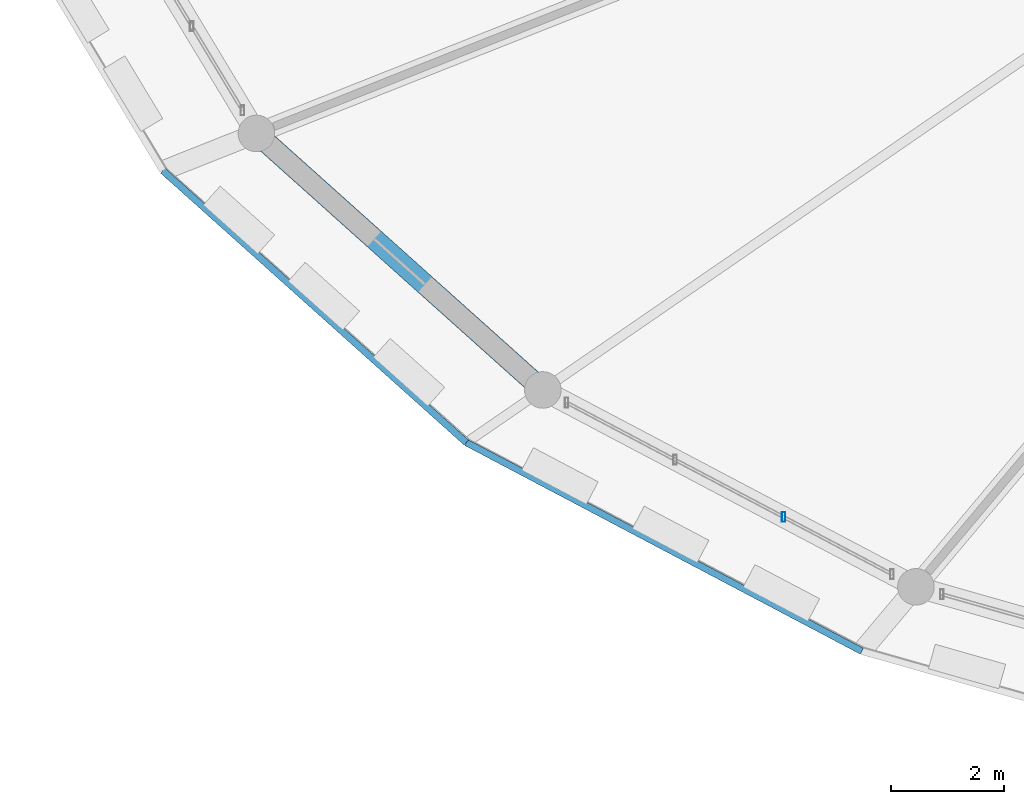
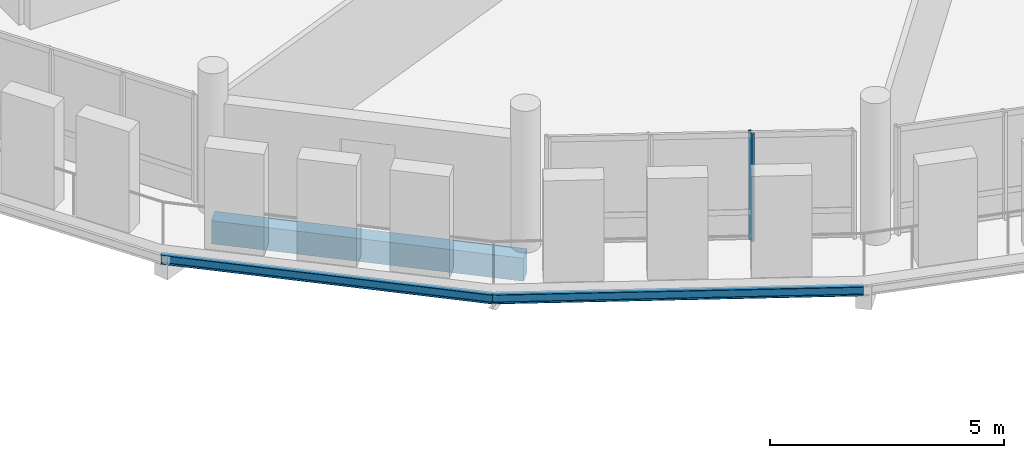
# One storey, part 23 of 84: 3 beams, 1 member, 1 element without a shape of its own.
"""IFC4 building model written with IfcOpenShell, lengths in metres."""

from ifc_helpers import new_model, si_unit, direction, frame, origin, origin_2d, place, context, subcontext, project, spatial, rectangle, hollow_rectangle, i_section, extrude, material, material_profile, profile_set, type_object, element, aggregate, save


model = new_model("IFC4")

# Units and contexts
model_context = context("Model", 3, precision=1e-05, world=origin(), true_north=direction((0.0, 1.0)))
body_context = subcontext(model_context, "Body", "Model", "MODEL_VIEW")
ifc_project = project(units=[si_unit("LENGTHUNIT", "METRE"), si_unit("AREAUNIT", "SQUARE_METRE"), si_unit("VOLUMEUNIT", "CUBIC_METRE"), si_unit("PLANEANGLEUNIT", "RADIAN"), si_unit("MASSUNIT", "GRAM", prefix="KILO")], contexts=[model_context])

# Site, building, storey
site_placement = place(None, origin())
site = spatial("IfcSite", under=ifc_project, at=site_placement, CompositionType="ELEMENT")
building_placement = place(site_placement, origin())
building = spatial("IfcBuilding", under=site, at=building_placement, Name="Zornivar Specialist Clinic", CompositionType="ELEMENT")
storey_placement = place(building_placement, frame((0.0, 0.0, 12.300048828125)))
storey = spatial("IfcBuildingStorey", under=building, at=storey_placement, Name="L03", CompositionType="ELEMENT", Elevation=12.300048828125)

# Beams
ifc_material_1 = material(Name="Concrete C30/37", Category="concrete")
ifc_material_profile_1 = material_profile(ifc_material_1, rectangle(XDim=0.3701171875, YDim=0.60009765625, at=origin_2d()), Name="RC 370x600")
ifc_profile_set_1 = profile_set([ifc_material_profile_1], Name="Concrete C30/37")
beam_type_1 = type_object("IfcBeamType", Name="BM-RC-SPANDREL-370x600", PredefinedType="SPANDREL", material=ifc_profile_set_1)
beam_1_placement = place(storey_placement, frame((65.886962890625, 46.60009765625, -0.5400390625), z_axis=(0.744835335723, -0.667248321585, 0.0), x_axis=(0.667248321585, 0.744835335723, 0.0)))
element("IfcBeam", 1, at=beam_1_placement, inside=storey, type_object=beam_type_1, Name="bm:V1:L03:outring:14", PredefinedType="SPANDREL", context=body_context, shape_type="SweptSolid", body=[
    extrude(rectangle(XDim=0.3701171875, YDim=0.60009765625, at=origin_2d()), origin(), (0.0, 0.0, 1.0), 6.828369140625),
])
ifc_material_2 = material(Name="Steel S355J2", Category="steel")
ifc_material_profile_2 = material_profile(ifc_material_2, i_section(OverallWidth=0.1201171875, OverallDepth=0.239990234375, WebThickness=0.006103515625, FlangeThickness=0.009765625, FilletRadius=0.014892578125, at=origin_2d()), Name="IPE 240")
ifc_profile_set_2 = profile_set([ifc_material_profile_2], Name="Steel S355J2")
beam_type_2 = type_object("IfcBeamType", Name="BM-STL-IPE240", PredefinedType="JOIST", material=ifc_profile_set_2)
beam_2_placement = place(storey_placement, frame((64.22412109375, 45.93994140625, -0.360107421875), z_axis=(0.744800061157, -0.667287695751, 0.0), x_axis=(0.667287695751, 0.744800061157, 0.0)))
element("IfcBeam", 2, at=beam_2_placement, inside=storey, type_object=beam_type_2, Name="bm:V1:L03:balring:14", PredefinedType="JOIST", context=body_context, shape_type="SweptSolid", body=[
    extrude(i_section(OverallWidth=0.1201171875, OverallDepth=0.239990234375, WebThickness=0.006103515625, FlangeThickness=0.009765625, FilletRadius=0.014892578125, at=origin_2d()), origin(), (0.0, 0.0, 1.0), 7.238037109375),
])
beam_3_placement = place(storey_placement, frame((69.614990234375, 41.110107421875, -0.360107421875), z_axis=(0.88446439618, -0.466607685202, 0.0), x_axis=(0.466607685202, 0.88446439618, 0.0)))
element("IfcBeam", 3, at=beam_3_placement, inside=storey, type_object=beam_type_2, Name="bm:V1:L03:balring:15", PredefinedType="JOIST", context=body_context, shape_type="SweptSolid", body=[
    extrude(i_section(OverallWidth=0.1201171875, OverallDepth=0.239990234375, WebThickness=0.006103515625, FlangeThickness=0.009765625, FilletRadius=0.014892578125, at=origin_2d()), origin(), (0.0, 0.0, 1.0), 7.942626953125),
])

# Curtain wall, member
ifc_material_3 = material(Name="Aluminium and Low-E Glass Curtain Wall", Category="aluminium")
curtain_wall_type = type_object("IfcCurtainWallType", Name="CW-DRUM-FACET", PredefinedType="NOTDEFINED", material=ifc_material_3)
curtain_wall_placement = place(storey_placement, origin())
curtain_wall = element("IfcCurtainWall", 4, at=curtain_wall_placement, inside=storey, type_object=curtain_wall_type, Name="cw:V1:L03:c15", PredefinedType="NOTDEFINED")
ifc_material_4 = material(Name="Aluminium AW-6060", Category="aluminium")
ifc_material_profile_3 = material_profile(ifc_material_4, hollow_rectangle(XDim=0.06494140625, YDim=0.175048828125, WallThickness=0.00439453125, at=origin_2d()), Name="ALU 65x175x4.5")
ifc_profile_set_3 = profile_set([ifc_material_profile_3], Name="Aluminium AW-6060")
member_type = type_object("IfcMemberType", Name="CWM-MUL-175", PredefinedType="MULLION", material=ifc_profile_set_3)
member_placement = place(storey_placement, frame((75.25, 39.787109375, 0.0), z_axis=(0.0, 0.0, 1.0), x_axis=(1.0, 0.0, 0.0)))
member = element("IfcMember", 5, at=member_placement, type_object=member_type, Name="cw:V1:L03:c15:mul:2", PredefinedType="MULLION", context=body_context, shape_type="SweptSolid", body=[
    extrude(hollow_rectangle(XDim=0.06494140625, YDim=0.175048828125, WallThickness=0.00439453125, at=origin_2d()), origin(), (0.0, 0.0, 1.0), 2.81005859375),
])
aggregate(curtain_wall, [member])

save(model, "model.ifc")
